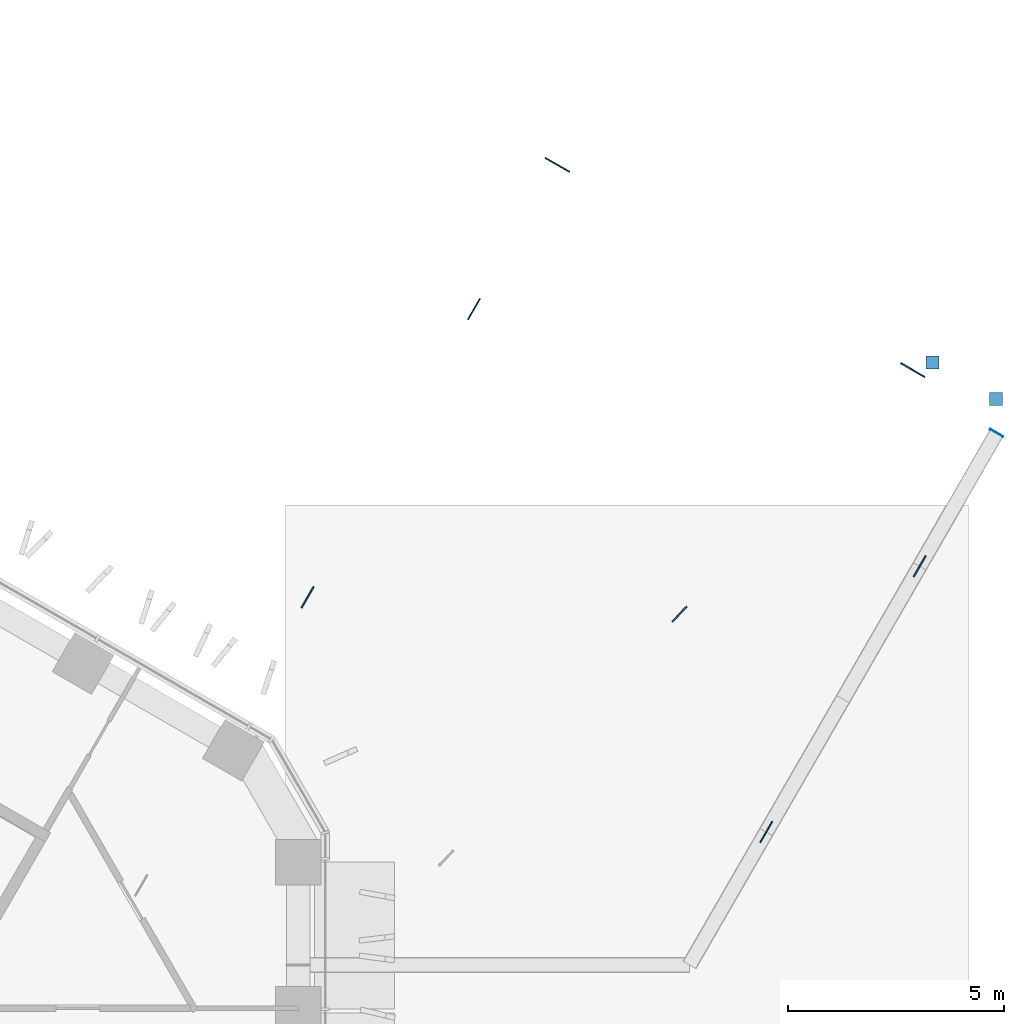
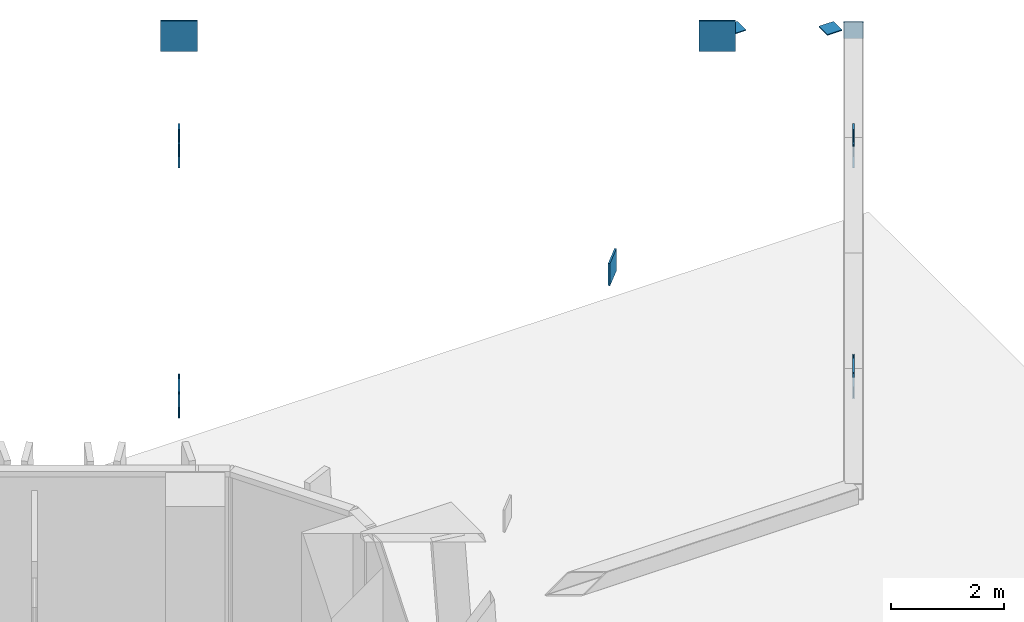
# One storey, part 19 of 25: 10 discrete accessories.
"""IFC4 building model written with IfcOpenShell, lengths in metres."""

from ifc_helpers import new_model, si_unit, direction, frame, origin, origin_2d, place, context, subcontext, project, spatial, rectangle, extrude, material, layer, layer_set, type_object, element, save


model = new_model("IFC4")

# Units and contexts
model_context = context("Model", 3, precision=1e-05, world=origin(), true_north=direction((0.0, 1.0)))
body_context = subcontext(model_context, "Body", "Model", "MODEL_VIEW")
ifc_project = project(units=[si_unit("LENGTHUNIT", "METRE"), si_unit("AREAUNIT", "SQUARE_METRE"), si_unit("VOLUMEUNIT", "CUBIC_METRE"), si_unit("PLANEANGLEUNIT", "RADIAN"), si_unit("MASSUNIT", "GRAM", prefix="KILO")], contexts=[model_context])

# Site, building, storey
site_placement = place(None, origin())
site = spatial("IfcSite", under=ifc_project, at=site_placement, CompositionType="ELEMENT")
building_placement = place(site_placement, origin())
building = spatial("IfcBuilding", under=site, at=building_placement, Name="Ayvan Gate Tower", CompositionType="ELEMENT")
storey_placement = place(building_placement, frame((0.0, 0.0, 132.5)))
storey = spatial("IfcBuildingStorey", under=building, at=storey_placement, Name="L35", CompositionType="ELEMENT", Elevation=132.5)

# Discrete accessories
ifc_material = material(Name="Steel S460ML", Category="steel")
ifc_layer_1 = layer(ifc_material, 0.030029296875)
ifc_layer_set_1 = layer_set([ifc_layer_1], Name="Steel S460ML")
discrete_accessory_type_1 = type_object("IfcDiscreteAccessoryType", Name="Gusset plate 30 mm", PredefinedType="BRACKET", material=ifc_layer_set_1)
for number, where, z_axis, x_axis, name in (
    (1, (19.700439453125, 14.6220703125, 2.39501953125), (0.0, 0.0, 1.0), (0.5, 0.866025403784, 0.0), "Gusset plate SBT3-2-D-5"),
    (2, (23.550537109375, 21.291015625, 2.39501953125), (0.0, 0.0, 1.0), (0.5, 0.866025403784, 0.0), "Gusset plate SBT3-2-D-7"),
    (3, (30.310791015625, 9.189697265625, 2.39501953125), (0.0, 0.0, 1.0), (0.5, 0.866025403784, 0.0), "Gusset plate SBX3-B-D-2"),
    (4, (33.86083984375, 15.33837890625, 2.39501953125), (0.0, 0.0, 1.0), (0.5, 0.866025403784, 0.0), "Gusset plate SBX3-B-D-4"),
):
    element("IfcDiscreteAccessory", number, at=place(storey_placement, frame(where, z_axis=z_axis, x_axis=x_axis)), inside=storey, type_object=discrete_accessory_type_1, Name=name, PredefinedType="BRACKET", context=body_context, shape_type="SweptSolid", body=[
        extrude(rectangle(XDim=0.56005859375, YDim=0.030029296875, at=origin_2d()), origin(), (0.0, 0.0, 1.0), 0.56005859375),
    ])
ifc_layer_2 = layer(ifc_material, 0.034912109375)
ifc_layer_set_2 = layer_set([ifc_layer_2], Name="Steel S460ML")
discrete_accessory_type_2 = type_object("IfcDiscreteAccessoryType", Name="Gusset plate 35 mm", PredefinedType="BRACKET", material=ifc_layer_set_2)
for number, where, z_axis, x_axis, name in (
    (5, (33.702880859375, 19.875244140625, 2.02490234375), (0.0, 0.0, 1.0), (-0.866025403784, 0.5, 0.0), "Gusset plate EXO-B3-D1A"),
    (6, (25.4755859375, 24.625244140625, 2.02490234375), (0.0, 0.0, 1.0), (-0.866025403784, 0.5, 0.0), "Gusset plate EXO-B3-D1B"),
):
    element("IfcDiscreteAccessory", number, at=place(storey_placement, frame(where, z_axis=z_axis, x_axis=x_axis)), inside=storey, type_object=discrete_accessory_type_2, Name=name, PredefinedType="BRACKET", context=body_context, shape_type="SweptSolid", body=[
        extrude(rectangle(XDim=0.650146484375, YDim=0.034912109375, at=origin_2d()), origin(), (0.0, 0.0, 1.0), 0.650146484375),
    ])
discrete_accessory_1_placement = place(storey_placement, frame((28.305908203125, 14.232666015625, 2.43505859375), z_axis=(0.0, 0.0, 1.0), x_axis=(0.691214195812, 0.722649939811, 0.0)))
element("IfcDiscreteAccessory", 7, at=discrete_accessory_1_placement, inside=storey, type_object=discrete_accessory_type_2, Name="Gusset plate SBT3-1-D-7", PredefinedType="BRACKET", context=body_context, shape_type="SweptSolid", body=[
    extrude(rectangle(XDim=0.47998046875, YDim=0.034912109375, at=origin_2d()), origin(), (0.0, 0.0, 1.0), 0.47998046875),
])
ifc_layer_3 = layer(ifc_material, 0.02001953125)
ifc_layer_set_3 = layer_set([ifc_layer_3], Name="Steel S460ML")
discrete_accessory_type_3 = type_object("IfcDiscreteAccessoryType", Name="Sky bar end cap plate", PredefinedType="BRACKET", material=ifc_layer_set_3)
discrete_accessory_2_placement = place(storey_placement, frame((35.640869140625, 18.421630859375, 2.5), z_axis=(0.0, 0.0, 1.0), x_axis=(0.5, 0.866025403784, 0.0)))
element("IfcDiscreteAccessory", 8, at=discrete_accessory_2_placement, inside=storey, type_object=discrete_accessory_type_3, Name="End cap SBX3-B-BC-5:EC", PredefinedType="BRACKET", context=body_context, shape_type="SweptSolid", body=[
    extrude(rectangle(XDim=0.02001953125, YDim=0.35009765625, at=origin_2d()), origin(), (0.0, 0.0, 1.0), 0.35009765625),
])
for number, where, z_axis, x_axis, name in (
    (9, (34.15283203125, 20.05419921875, 2.22998046875), (0.0, 0.0, 1.0), (1.0, 0.0, 0.0), "End cap SBX3-C-P-3:EC0"),
    (10, (35.625, 19.204345703125, 2.22998046875), (0.0, 0.0, 1.0), (1.0, 0.0, 0.0), "End cap SBX3-C-P-4:EC0"),
):
    element("IfcDiscreteAccessory", number, at=place(storey_placement, frame(where, z_axis=z_axis, x_axis=x_axis)), inside=storey, type_object=discrete_accessory_type_3, Name=name, PredefinedType="BRACKET", context=body_context, shape_type="SweptSolid", body=[
        extrude(rectangle(XDim=0.300048828125, YDim=0.300048828125, at=origin_2d()), origin(), (0.0, 0.0, 1.0), 0.02001953125),
    ])

save(model, "model.ifc")
